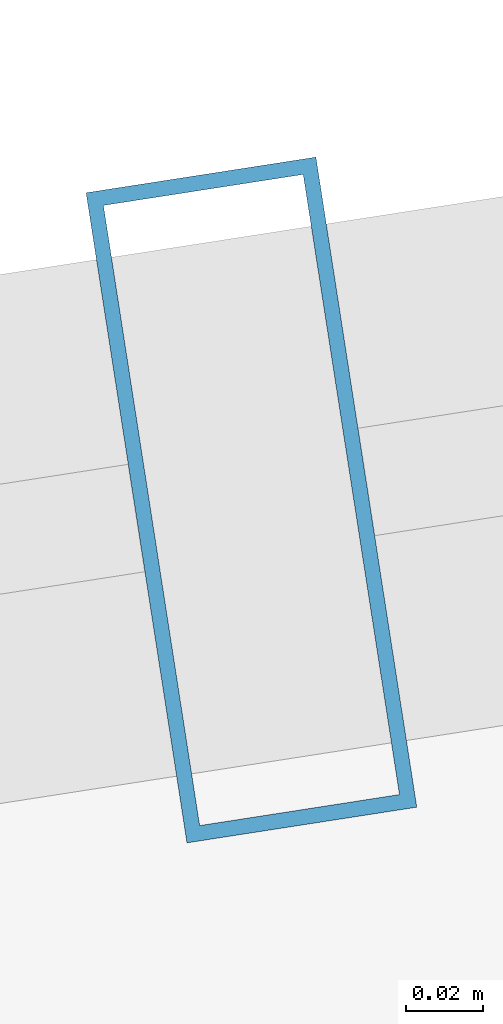
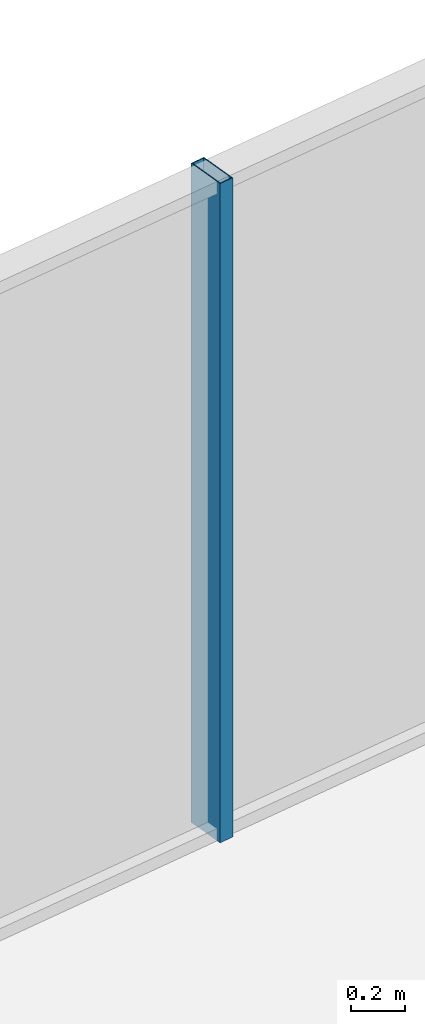
# One storey, part 25 of 37: 1 member, 1 element without a shape of its own.
"""IFC4 building model written with IfcOpenShell, lengths in metres."""

from ifc_helpers import new_model, si_unit, direction, frame, origin, origin_2d, place, context, subcontext, project, spatial, hollow_rectangle, extrude, source, transform, mapped, material, layer, layer_set, material_profile, profile_set, type_object, element, aggregate, save


model = new_model("IFC4")

# Units and contexts
model_context = context("Model", 3, precision=1e-05, world=origin(), true_north=direction((0.0, 1.0)))
body_context = subcontext(model_context, "Body", "Model", "MODEL_VIEW")
ifc_project = project(units=[si_unit("LENGTHUNIT", "METRE"), si_unit("AREAUNIT", "SQUARE_METRE"), si_unit("VOLUMEUNIT", "CUBIC_METRE"), si_unit("PLANEANGLEUNIT", "RADIAN"), si_unit("MASSUNIT", "GRAM", prefix="KILO")], contexts=[model_context])

# Site, building, storey
site_placement = place(None, origin())
site = spatial("IfcSite", under=ifc_project, at=site_placement, CompositionType="ELEMENT")
building_placement = place(site_placement, origin())
building = spatial("IfcBuilding", under=site, at=building_placement, Name="Veraguas Prism Commons", CompositionType="ELEMENT")
storey_placement = place(building_placement, frame((0.0, 0.0, 53.300048828125)))
storey = spatial("IfcBuildingStorey", under=building, at=storey_placement, Name="L14", CompositionType="ELEMENT", Elevation=53.300048828125)

# Curtain wall, member
ifc_material = material(Name="Anodised aluminium EN AW-6063 T6", Category="aluminium")
ifc_layer = layer(ifc_material, 0.169921875, Name="Unitised Flush Curtain Wall Zone 1", Category="aluminium")
ifc_layer_set = layer_set([ifc_layer], Name="Anodised aluminium EN AW-6063 T6")
curtain_wall_type = type_object("IfcCurtainWallType", Name="Unitised Flush Curtain Wall Zone 1", PredefinedType="NOTDEFINED", material=ifc_layer_set)
curtain_wall_placement = place(storey_placement, origin())
curtain_wall = element("IfcCurtainWall", 1, at=curtain_wall_placement, inside=storey, type_object=curtain_wall_type, Name="Tower Facade Curtain Wall L14-F2", PredefinedType="NOTDEFINED")
ifc_material_profile = material_profile(ifc_material, hollow_rectangle(XDim=0.06005859375, YDim=0.169921875, WallThickness=0.00390625, at=origin_2d()), Name="AL60X170X4")
ifc_profile_set = profile_set([ifc_material_profile], Name="Anodised aluminium EN AW-6063 T6")
member_type = type_object("IfcMemberType", Name="Curtain Wall Mullion Lower AL 60x170x4", PredefinedType="MULLION", material=ifc_profile_set)
shared_shape = source(origin(), body_context, "Body", "SweptSolid", [
    extrude(hollow_rectangle(XDim=0.06005859375, YDim=0.169921875, WallThickness=0.00390625, at=origin_2d()), origin(), (0.0, 0.0, 1.0), 2.969970703125),
])
member_placement = place(storey_placement, frame((20.81298828125, 44.538818359375, 0.0), z_axis=(0.0, 0.0, 1.0), x_axis=(-0.98817491911, -0.153330783737, 0.0)))
member = element("IfcMember", 2, at=member_placement, type_object=member_type, Name="CW-Z1 Mullion 3", PredefinedType="MULLION", context=body_context, shape_type="MappedRepresentation", body=[
    mapped(shared_shape, transform((0.0, 0.0, 0.0), scale=1.0)),
])
aggregate(curtain_wall, [member])

save(model, "model.ifc")
